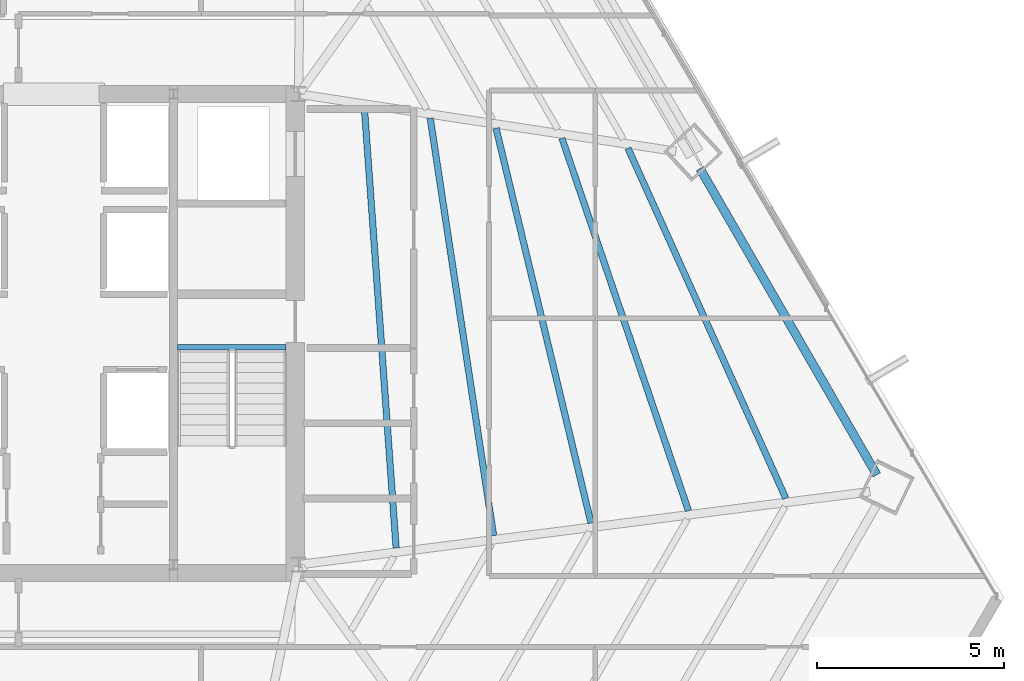
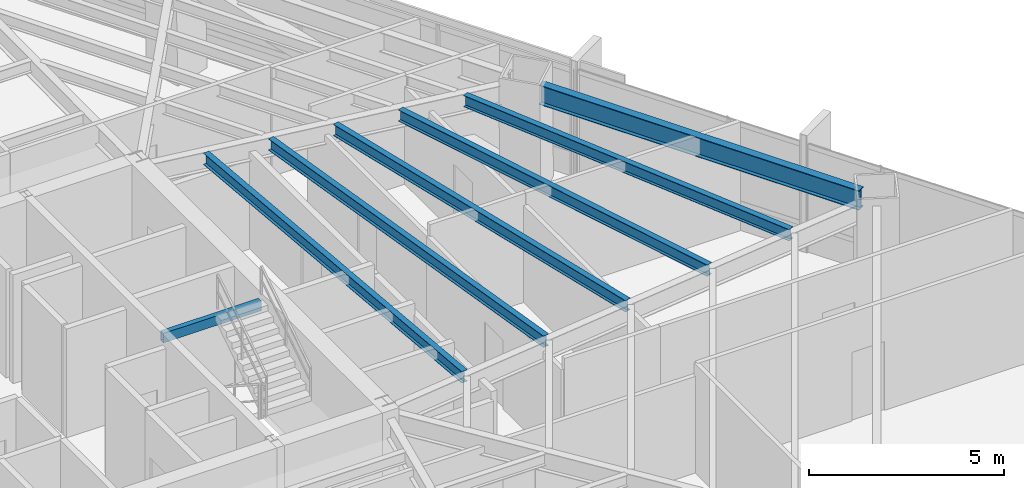
# One storey, part 21 of 35: 7 beams.
"""IFC4 building model written with IfcOpenShell, lengths in metres."""

from ifc_helpers import new_model, si_unit, direction, frame, origin, origin_2d, place, context, subcontext, project, spatial, hollow_rectangle, i_section, extrude, source, transform, mapped, material, material_profile, profile_set, type_object, type_shapes, element, save


model = new_model("IFC4")

# Units and contexts
model_context = context("Model", 3, precision=1e-05, world=origin(), true_north=direction((0.0, 1.0)))
body_context = subcontext(model_context, "Body", "Model", "MODEL_VIEW")
ifc_project = project(units=[si_unit("LENGTHUNIT", "METRE"), si_unit("AREAUNIT", "SQUARE_METRE"), si_unit("VOLUMEUNIT", "CUBIC_METRE"), si_unit("PLANEANGLEUNIT", "RADIAN"), si_unit("MASSUNIT", "GRAM", prefix="KILO")], contexts=[model_context])

# Site, building, storey
site_placement = place(None, origin())
site = spatial("IfcSite", under=ifc_project, at=site_placement, CompositionType="ELEMENT")
building_placement = place(site_placement, origin())
building = spatial("IfcBuilding", under=site, at=building_placement, Name="Caelisora Broadcast Tower", CompositionType="ELEMENT")
storey_placement = place(building_placement, frame((0.0, 0.0, 94.449951171875)))
storey = spatial("IfcBuildingStorey", under=building, at=storey_placement, Name="L24", CompositionType="ELEMENT", Elevation=94.449951171875)

# Beams
ifc_material_1 = material(Name="Steel Grade 350 (AS/NZS 1163 C350L0)", Category="steel")
ifc_material_profile_1 = material_profile(ifc_material_1, hollow_rectangle(XDim=0.14990234375, YDim=0.300048828125, WallThickness=0.010009765625, at=origin_2d()), Name="Steel Grade 350 (AS/NZS 1163 C350L0)")
ifc_profile_set_1 = profile_set([ifc_material_profile_1], Name="Steel Grade 350 (AS/NZS 1163 C350L0)")
beam_type_1 = type_object("IfcBeamType", Name="SB05", PredefinedType="JOIST", material=ifc_profile_set_1)
shared_shape_1 = source(origin(), body_context, "Body", "SweptSolid", [
    extrude(hollow_rectangle(XDim=0.14990234375, YDim=0.300048828125, WallThickness=0.010009765625, at=origin_2d()), origin(), (0.0, 0.0, 1.0), 2.89990234375),
])
type_shapes(beam_type_1, [shared_shape_1])
beam_1_placement = place(storey_placement, frame((42.260009765625, 23.219970703125, 3.25), z_axis=(1.0, 0.0, 0.0), x_axis=(0.0, 1.0, 0.0)))
element("IfcBeam", 1, at=beam_1_placement, inside=storey, type_object=beam_type_1, Name="L24 beam SB05", PredefinedType="JOIST", context=body_context, shape_type="MappedRepresentation", body=[
    mapped(shared_shape_1, transform((0.0, 0.0, 0.0), scale=1.0)),
])
ifc_material_2 = material(Name="Steel Grade 350 (AS/NZS 3679.1)", Category="steel")
ifc_material_profile_2 = material_profile(ifc_material_2, i_section(OverallWidth=0.22900390625, OverallDepth=0.611572265625, WebThickness=0.011962890625, FlangeThickness=0.01953125, at=origin_2d()), Name="Steel Grade 350 (AS/NZS 3679.1)")
ifc_profile_set_2 = profile_set([ifc_material_profile_2], Name="Steel Grade 350 (AS/NZS 3679.1)")
beam_type_2 = type_object("IfcBeamType", Name="PG03", PredefinedType="BEAM", material=ifc_profile_set_2)
shared_shape_2 = source(origin(), body_context, "Body", "SweptSolid", [
    extrude(i_section(OverallWidth=0.22900390625, OverallDepth=0.611572265625, WebThickness=0.011962890625, FlangeThickness=0.01953125, at=origin_2d()), origin(), (0.0, 0.0, 1.0), 9.4677734375),
])
type_shapes(beam_type_2, [shared_shape_2])
beam_2_placement = place(storey_placement, frame((60.979248046875, 19.805908203125, 3.09423828125), z_axis=(-0.499994028088, 0.866028851642, 0.0), x_axis=(-0.866028851642, -0.499994028088, 0.0)))
element("IfcBeam", 2, at=beam_2_placement, inside=storey, type_object=beam_type_2, Name="L24 beam PG03", PredefinedType="BEAM", context=body_context, shape_type="MappedRepresentation", body=[
    mapped(shared_shape_2, transform((0.0, 0.0, 0.0), scale=1.0)),
])
ifc_material_profile_3 = material_profile(ifc_material_2, i_section(OverallWidth=0.172119140625, OverallDepth=0.358642578125, WebThickness=0.008056640625, FlangeThickness=0.012939453125, at=origin_2d()), Name="Steel Grade 350 (AS/NZS 3679.1)")
ifc_profile_set_3 = profile_set([ifc_material_profile_3], Name="Steel Grade 350 (AS/NZS 3679.1)")
beam_type_3 = type_object("IfcBeamType", Name="SB02", PredefinedType="JOIST", material=ifc_profile_set_3)
shared_shape_3 = source(origin(), body_context, "Body", "SweptSolid", [
    extrude(i_section(OverallWidth=0.172119140625, OverallDepth=0.358642578125, WebThickness=0.008056640625, FlangeThickness=0.012939453125, at=origin_2d()), origin(), (0.0, 0.0, 1.0), 11.805419921875),
])
beam_3_placement = place(storey_placement, frame((48.110107421875, 17.845458984375, 3.220703125), z_axis=(-0.071946591805, 0.997408485991, 0.0), x_axis=(-0.997408485991, -0.071946591805, 0.0)))
element("IfcBeam", 3, at=beam_3_placement, inside=storey, type_object=beam_type_3, Name="L24 beam SB02", PredefinedType="JOIST", context=body_context, shape_type="MappedRepresentation", body=[
    mapped(shared_shape_3, transform((0.0, 0.0, 0.0), scale=1.0)),
])
shared_shape_4 = source(origin(), body_context, "Body", "SweptSolid", [
    extrude(i_section(OverallWidth=0.172119140625, OverallDepth=0.358642578125, WebThickness=0.008056640625, FlangeThickness=0.012939453125, at=origin_2d()), origin(), (0.0, 0.0, 1.0), 11.302001953125),
])
beam_4_placement = place(storey_placement, frame((50.7197265625, 18.178955078125, 3.220703125), z_axis=(-0.150152838194, 0.9886627965, 0.0), x_axis=(-0.9886627965, -0.150152838194, 0.0)))
element("IfcBeam", 4, at=beam_4_placement, inside=storey, type_object=beam_type_3, Name="L24 beam SB02", PredefinedType="JOIST", context=body_context, shape_type="MappedRepresentation", body=[
    mapped(shared_shape_4, transform((0.0, 0.0, 0.0), scale=1.0)),
])
shared_shape_5 = source(origin(), body_context, "Body", "SweptSolid", [
    extrude(i_section(OverallWidth=0.172119140625, OverallDepth=0.358642578125, WebThickness=0.008056640625, FlangeThickness=0.012939453125, at=origin_2d()), origin(), (0.0, 0.0, 1.0), 10.874267578125),
])
beam_5_placement = place(storey_placement, frame((53.32861328125, 18.512451171875, 3.220703125), z_axis=(-0.233851838101, 0.972272244701, 0.0), x_axis=(-0.972272244701, -0.233851838101, 0.0)))
element("IfcBeam", 5, at=beam_5_placement, inside=storey, type_object=beam_type_3, Name="L24 beam SB02", PredefinedType="JOIST", context=body_context, shape_type="MappedRepresentation", body=[
    mapped(shared_shape_5, transform((0.0, 0.0, 0.0), scale=1.0)),
])
shared_shape_6 = source(origin(), body_context, "Body", "SweptSolid", [
    extrude(i_section(OverallWidth=0.172119140625, OverallDepth=0.358642578125, WebThickness=0.008056640625, FlangeThickness=0.012939453125, at=origin_2d()), origin(), (0.0, 0.0, 1.0), 10.530517578125),
])
beam_6_placement = place(storey_placement, frame((55.936279296875, 18.845703125, 3.220703125), z_axis=(-0.321515752128, 0.946904230181, 0.0), x_axis=(-0.946904230181, -0.321515752128, 0.0)))
element("IfcBeam", 6, at=beam_6_placement, inside=storey, type_object=beam_type_3, Name="L24 beam SB02", PredefinedType="JOIST", context=body_context, shape_type="MappedRepresentation", body=[
    mapped(shared_shape_6, transform((0.0, 0.0, 0.0), scale=1.0)),
])
shared_shape_7 = source(origin(), body_context, "Body", "SweptSolid", [
    extrude(i_section(OverallWidth=0.172119140625, OverallDepth=0.358642578125, WebThickness=0.008056640625, FlangeThickness=0.012939453125, at=origin_2d()), origin(), (0.0, 0.0, 1.0), 10.27880859375),
])
type_shapes(beam_type_3, [shared_shape_3, shared_shape_4, shared_shape_5, shared_shape_6, shared_shape_7])
beam_7_placement = place(storey_placement, frame((58.543212890625, 19.1787109375, 3.220703125), z_axis=(-0.41112400763, 0.911579426243, 0.0), x_axis=(-0.911579426243, -0.41112400763, 0.0)))
element("IfcBeam", 7, at=beam_7_placement, inside=storey, type_object=beam_type_3, Name="L24 beam SB02", PredefinedType="JOIST", context=body_context, shape_type="MappedRepresentation", body=[
    mapped(shared_shape_7, transform((0.0, 0.0, 0.0), scale=1.0)),
])

save(model, "model.ifc")
